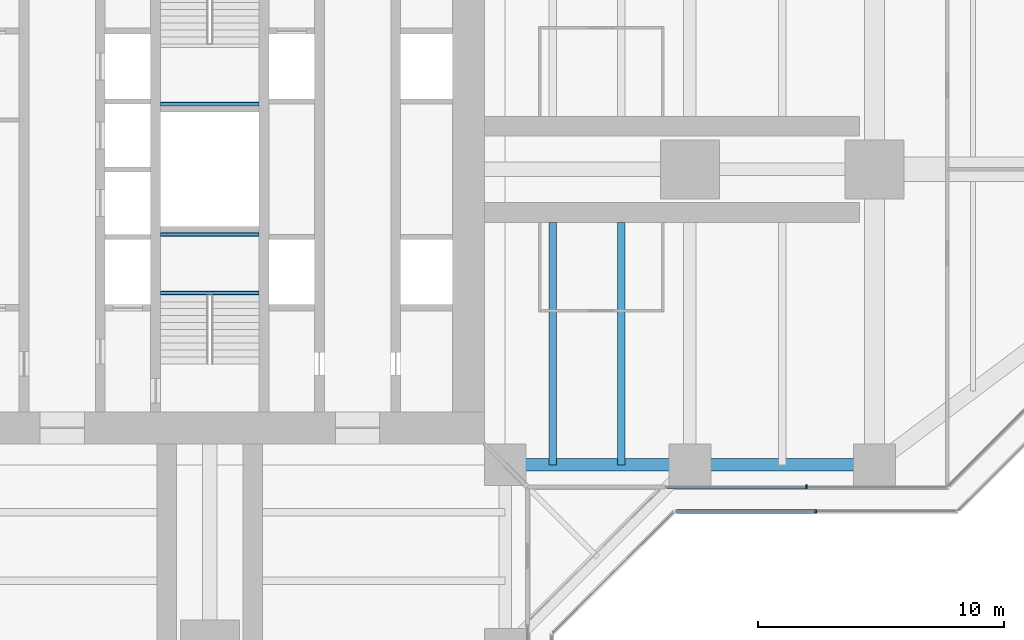
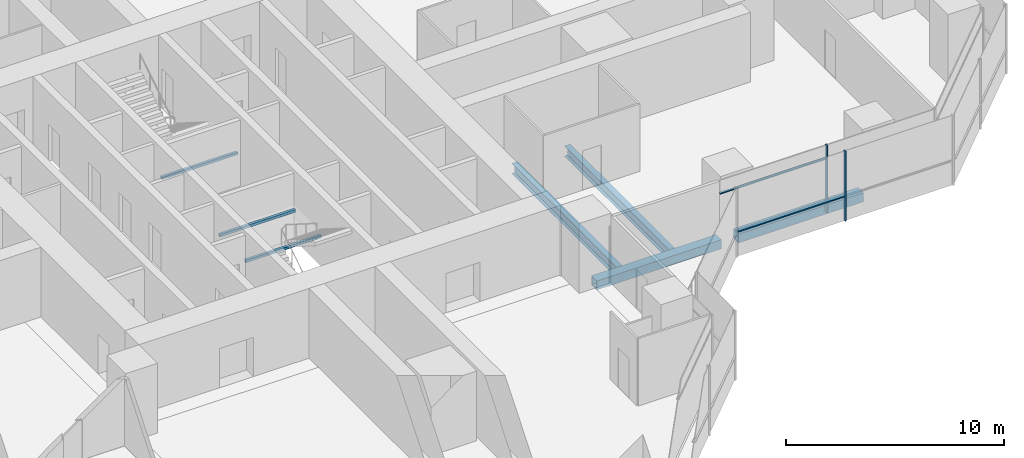
# One storey, part 5 of 19: 7 beams, 4 members, 2 elements without a shape of their own.
"""IFC4 building model written with IfcOpenShell, lengths in metres."""

from ifc_helpers import new_model, si_unit, direction, frame, origin, origin_2d, place, context, subcontext, project, spatial, rectangle, hollow_rectangle, i_section, extrude, material, material_profile, profile_set, type_object, element, aggregate, save


model = new_model("IFC4")

# Units and contexts
model_context = context("Model", 3, precision=1e-05, world=origin(), true_north=direction((0.0, 1.0)))
body_context = subcontext(model_context, "Body", "Model", "MODEL_VIEW")
ifc_project = project(units=[si_unit("LENGTHUNIT", "METRE"), si_unit("AREAUNIT", "SQUARE_METRE"), si_unit("VOLUMEUNIT", "CUBIC_METRE"), si_unit("PLANEANGLEUNIT", "RADIAN"), si_unit("MASSUNIT", "GRAM", prefix="KILO")], contexts=[model_context])

# Site, building, storey
site_placement = place(None, origin())
site = spatial("IfcSite", under=ifc_project, at=site_placement, CompositionType="ELEMENT")
building_placement = place(site_placement, origin())
building = spatial("IfcBuilding", under=site, at=building_placement, Name="Mizan Broadcast Tower", CompositionType="ELEMENT")
storey_placement = place(building_placement, frame((0.0, 0.0, 163.199951171875)))
storey = spatial("IfcBuildingStorey", under=building, at=storey_placement, Name="L37", CompositionType="ELEMENT", Elevation=163.199951171875)

# Beams
ifc_material_1 = material(Name="Steel S355", Category="steel")
ifc_material_profile_1 = material_profile(ifc_material_1, hollow_rectangle(XDim=0.5, YDim=0.5, WallThickness=0.030029296875, at=origin_2d()), Name="BOX 500x500x30")
ifc_profile_set_1 = profile_set([ifc_material_profile_1], Name="Steel S355")
beam_type_1 = type_object("IfcBeamType", Name="EDGE BEAM BOX 500x500x30", PredefinedType="SPANDREL", material=ifc_profile_set_1)
for number, where, z_axis, x_axis, name in (
    (1, (12.449951171875, -12.0, -0.3798828125), (1.0, 0.0, 0.0), (0.0, 1.0, 0.0), "Edge beam BOX 500x500x30 L37 east arm"),
    (2, (19.949951171875, -12.0, -0.3798828125), (1.0, 0.0, 0.0), (0.0, 1.0, 0.0), "Edge beam BOX 500x500x30 L37 east arm"),
):
    element("IfcBeam", number, at=place(storey_placement, frame(where, z_axis=z_axis, x_axis=x_axis)), inside=storey, type_object=beam_type_1, Name=name, PredefinedType="SPANDREL", context=body_context, shape_type="SweptSolid", body=[
        extrude(hollow_rectangle(XDim=0.5, YDim=0.5, WallThickness=0.030029296875, at=origin_2d()), origin(), (0.0, 0.0, 1.0), 6.60009765625),
    ])

# Curtain wall, members
ifc_material_2 = material(Name="Aluminium framed glazing", Category="aluminium")
curtain_wall_type_1 = type_object("IfcCurtainWallType", Name="INNER SKIN MID ZONE", PredefinedType="USERDEFINED", material=ifc_material_2)
curtain_wall_1_placement = place(storey_placement, origin())
curtain_wall_1 = element("IfcCurtainWall", 3, at=curtain_wall_1_placement, inside=storey, type_object=curtain_wall_type_1, Name="Inner skin mid zone L37 E side", ObjectType="INNER SKIN MID ZONE", PredefinedType="USERDEFINED")
ifc_material_3 = material(Name="Aluminium, pale anodised", Category="aluminium")
ifc_material_profile_2 = material_profile(ifc_material_3, rectangle(XDim=0.159912109375, YDim=0.06005859375, at=origin_2d()), Name="MULLION 160x60")
ifc_profile_set_2 = profile_set([ifc_material_profile_2], Name="Aluminium, pale anodised")
member_type_1 = type_object("IfcMemberType", Name="INNER SKIN MULLION 60x160", PredefinedType="MULLION", material=ifc_profile_set_2)
member_1_placement = place(storey_placement, frame((24.229248046875, -12.89990234375, 0.0), z_axis=(0.0, 0.0, 1.0), x_axis=(0.0, 1.0, 0.0)))
member_1 = element("IfcMember", 4, at=member_1_placement, type_object=member_type_1, Name="Inner skin mid zone L37 E side mullion 2", PredefinedType="MULLION", context=body_context, shape_type="SweptSolid", body=[
    extrude(rectangle(XDim=0.159912109375, YDim=0.06005859375, at=origin_2d()), origin(), (0.0, 0.0, 1.0), 3.77001953125),
])
ifc_material_4 = material(Name="Aluminium, pale anodised", Category="aluminium")
ifc_material_profile_3 = material_profile(ifc_material_4, rectangle(XDim=0.1201171875, YDim=0.06005859375, at=origin_2d()), Name="TRANSOM 120x60")
ifc_profile_set_3 = profile_set([ifc_material_profile_3], Name="Aluminium, pale anodised")
member_type_2 = type_object("IfcMemberType", Name="INNER SKIN TRANSOM 60x120", PredefinedType="USERDEFINED", material=ifc_profile_set_3)
member_2_placement = place(storey_placement, frame((18.56005859375, -12.89990234375, 3.030029296875), z_axis=(1.0, 0.0, 0.0), x_axis=(0.0, 1.0, 0.0)))
member_2 = element("IfcMember", 5, at=member_2_placement, type_object=member_type_2, Name="Inner skin mid zone L37 E side transom 1.1", ObjectType="TRANSOM", PredefinedType="USERDEFINED", context=body_context, shape_type="SweptSolid", body=[
    extrude(rectangle(XDim=0.1201171875, YDim=0.06005859375, at=origin_2d()), origin(), (0.0, 0.0, 1.0), 5.63916015625),
])
aggregate(curtain_wall_1, [member_1, member_2])

# Beams
ifc_material_5 = material(Name="Steel S355", Category="steel")
ifc_material_profile_4 = material_profile(ifc_material_5, hollow_rectangle(XDim=0.14990234375, YDim=0.14990234375, WallThickness=0.008056640625, InnerFilletRadius=0.008056640625, OuterFilletRadius=0.011962890625, at=origin_2d()), Name="SHS 150x150x8")
ifc_profile_set_4 = profile_set([ifc_material_profile_4], Name="Steel S355")
beam_type_2 = type_object("IfcBeamType", Name="LANDING TRIMMER SHS 150x150x8", PredefinedType="BEAM", material=ifc_profile_set_4)
for number, where, z_axis, x_axis, name in (
    (6, (-2.0, -5.02490234375, 1.675048828125), (1.0, 0.0, 0.0), (0.0, 1.0, 0.0), "Stair A landing trimmer L37"),
    (7, (-2.0, -2.64990234375, 1.675048828125), (1.0, 0.0, 0.0), (0.0, 1.0, 0.0), "Stair A landing trimmer L37"),
    (8, (2.0, 2.64990234375, 1.675048828125), (-1.0, 0.0, 0.0), (0.0, -1.0, 0.0), "Stair B landing trimmer L37"),
):
    element("IfcBeam", number, at=place(storey_placement, frame(where, z_axis=z_axis, x_axis=x_axis)), inside=storey, type_object=beam_type_2, Name=name, PredefinedType="BEAM", context=body_context, shape_type="SweptSolid", body=[
        extrude(hollow_rectangle(XDim=0.14990234375, YDim=0.14990234375, WallThickness=0.008056640625, InnerFilletRadius=0.008056640625, OuterFilletRadius=0.011962890625, at=origin_2d()), origin(), (0.0, 0.0, 1.0), 4.0),
    ])

# Curtain wall, members
ifc_material_6 = material(Name="Aluminium framed glazing", Category="aluminium")
curtain_wall_type_2 = type_object("IfcCurtainWallType", Name="OUTER SKIN", PredefinedType="USERDEFINED", material=ifc_material_6)
curtain_wall_2_placement = place(storey_placement, origin())
curtain_wall_2 = element("IfcCurtainWall", 9, at=curtain_wall_2_placement, inside=storey, type_object=curtain_wall_type_2, Name="Outer skin L37 E side", ObjectType="OUTER SKIN", PredefinedType="USERDEFINED")
ifc_material_7 = material(Name="Aluminium, pale anodised", Category="aluminium")
ifc_material_profile_5 = material_profile(ifc_material_7, rectangle(XDim=0.159912109375, YDim=0.080078125, at=origin_2d()), Name="MULLION 160x80")
ifc_profile_set_5 = profile_set([ifc_material_profile_5], Name="Aluminium, pale anodised")
member_type_3 = type_object("IfcMemberType", Name="OUTER SKIN MULLION 80x160", PredefinedType="MULLION", material=ifc_profile_set_5)
member_3_placement = place(storey_placement, frame((24.622802734375, -13.89990234375, 0.0), z_axis=(0.0, 0.0, 1.0), x_axis=(0.0, 1.0, 0.0)))
member_3 = element("IfcMember", 10, at=member_3_placement, type_object=member_type_3, Name="Outer skin L37 E side mullion 2", PredefinedType="MULLION", context=body_context, shape_type="SweptSolid", body=[
    extrude(rectangle(XDim=0.159912109375, YDim=0.080078125, at=origin_2d()), origin(), (0.0, 0.0, 1.0), 3.900146484375),
])
ifc_material_8 = material(Name="Aluminium, pale anodised", Category="aluminium")
ifc_material_profile_6 = material_profile(ifc_material_8, rectangle(XDim=0.159912109375, YDim=0.06005859375, at=origin_2d()), Name="TRANSOM 160x60")
ifc_profile_set_6 = profile_set([ifc_material_profile_6], Name="Aluminium, pale anodised")
member_type_4 = type_object("IfcMemberType", Name="OUTER SKIN TRANSOM 60x160", PredefinedType="USERDEFINED", material=ifc_profile_set_6)
member_4_placement = place(storey_placement, frame((18.952880859375, -13.89990234375, 1.400146484375), z_axis=(1.0, 0.0, 0.0), x_axis=(0.0, 1.0, 0.0)))
member_4 = element("IfcMember", 11, at=member_4_placement, type_object=member_type_4, Name="Outer skin L37 E side transom 1.1", ObjectType="TRANSOM", PredefinedType="USERDEFINED", context=body_context, shape_type="SweptSolid", body=[
    extrude(rectangle(XDim=0.159912109375, YDim=0.06005859375, at=origin_2d()), origin(), (0.0, 0.0, 1.0), 5.6298828125),
])
aggregate(curtain_wall_2, [member_3, member_4])

# Beams
ifc_material_9 = material(Name="Steel S355", Category="steel")
ifc_material_profile_7 = material_profile(ifc_material_9, i_section(OverallWidth=0.300048828125, OverallDepth=0.590087890625, WebThickness=0.012939453125, FlangeThickness=0.02490234375, FilletRadius=0.027099609375, at=origin_2d()), Name="HEA 600")
ifc_profile_set_7 = profile_set([ifc_material_profile_7], Name="Steel S355")
beam_type_3 = type_object("IfcBeamType", Name="SECONDARY BEAM HEA 600", PredefinedType="JOIST", material=ifc_profile_set_7)
for number, where, z_axis, x_axis, name in (
    (12, (13.933349609375, -12.0, -0.425048828125), (0.0, 1.0, 0.0), (-1.0, 0.0, 0.0), "Secondary beam HEA 600 L37 east arm"),
    (13, (16.716552734375, -12.0, -0.425048828125), (0.0, 1.0, 0.0), (-1.0, 0.0, 0.0), "Secondary beam HEA 600 L37 east arm"),
):
    element("IfcBeam", number, at=place(storey_placement, frame(where, z_axis=z_axis, x_axis=x_axis)), inside=storey, type_object=beam_type_3, Name=name, PredefinedType="JOIST", context=body_context, shape_type="SweptSolid", body=[
        extrude(i_section(OverallWidth=0.300048828125, OverallDepth=0.590087890625, WebThickness=0.012939453125, FlangeThickness=0.02490234375, FilletRadius=0.027099609375, at=origin_2d()), origin(), (0.0, 0.0, 1.0), 9.85009765625),
    ])

save(model, "model.ifc")
